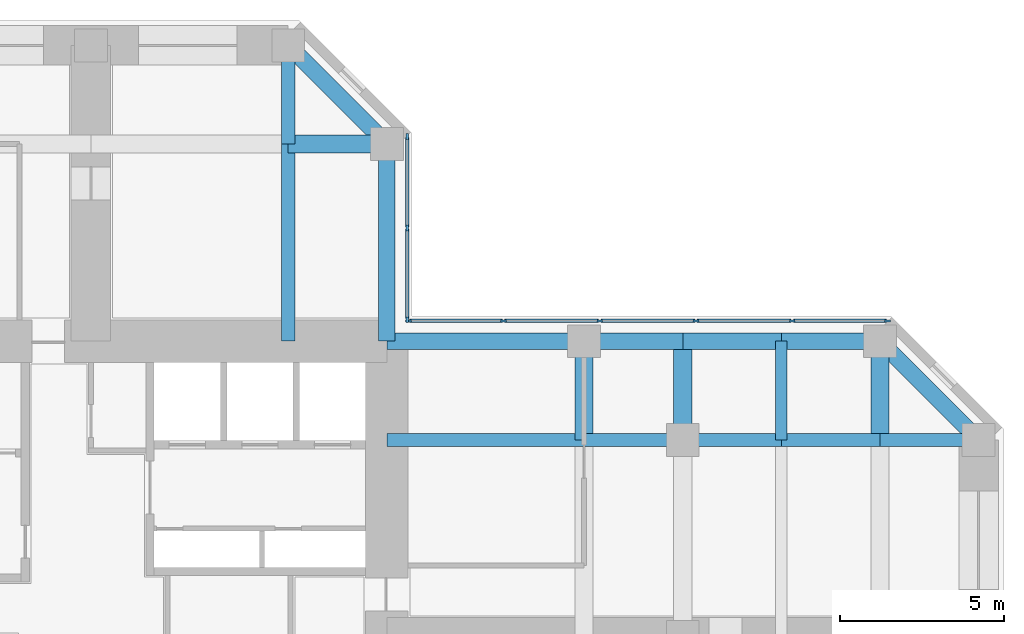
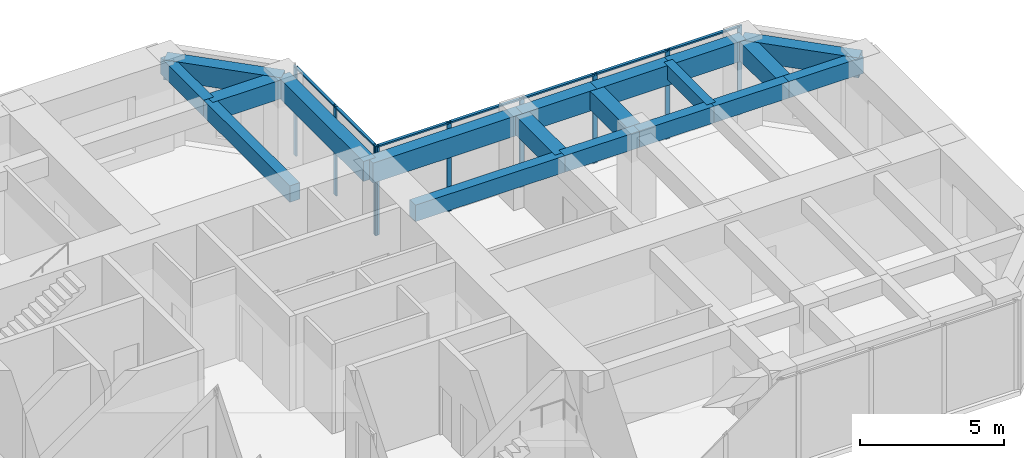
# One storey, part 6 of 12: 19 beams, 16 members, 2 elements without a shape of their own.
"""IFC4 building model written with IfcOpenShell, lengths in metres."""

from ifc_helpers import new_model, si_unit, direction, frame, origin, origin_2d, place, context, subcontext, project, spatial, rectangle, extrude, material, material_profile, profile_set, type_object, element, aggregate, save


model = new_model("IFC4")

# Units and contexts
model_context = context("Model", 3, precision=1e-05, world=origin(), true_north=direction((0.0, 1.0)))
body_context = subcontext(model_context, "Body", "Model", "MODEL_VIEW")
ifc_project = project(units=[si_unit("LENGTHUNIT", "METRE"), si_unit("AREAUNIT", "SQUARE_METRE"), si_unit("VOLUMEUNIT", "CUBIC_METRE"), si_unit("PLANEANGLEUNIT", "RADIAN"), si_unit("MASSUNIT", "GRAM", prefix="KILO")], contexts=[model_context])

# Site, building, storey
site_placement = place(None, origin())
site = spatial("IfcSite", under=ifc_project, at=site_placement, CompositionType="ELEMENT")
building_placement = place(site_placement, origin())
building = spatial("IfcBuilding", under=site, at=building_placement, Name="Torre Cruceta", CompositionType="ELEMENT")
storey_placement = place(building_placement, frame((0.0, 0.0, 136.5)))
storey = spatial("IfcBuildingStorey", under=building, at=storey_placement, Name="L33", CompositionType="ELEMENT", Elevation=136.5)

# Beams
ifc_material_1 = material(Name="Concrete G60 (fck 60 MPa)", Category="concrete")
ifc_material_profile_1 = material_profile(ifc_material_1, rectangle(XDim=0.39990234375, YDim=0.699951171875, at=origin_2d()), Name="RC 400X700")
ifc_profile_set_1 = profile_set([ifc_material_profile_1], Name="Concrete G60 (fck 60 MPa)")
beam_type_1 = type_object("IfcBeamType", Name="COLUMN LINE BEAM RC 400X700", PredefinedType="BEAM", material=ifc_profile_set_1)
beam_1_placement = place(storey_placement, frame((6.0, 9.0, 3.449951171875), z_axis=(0.0, 1.0, 0.0), x_axis=(-1.0, 0.0, 0.0)))
element("IfcBeam", 1, at=beam_1_placement, inside=storey, type_object=beam_type_1, Name="LB5 L33 N col- 1", PredefinedType="BEAM", context=body_context, shape_type="SweptSolid", body=[
    extrude(rectangle(XDim=0.39990234375, YDim=0.699951171875, at=origin_2d()), origin(), (0.0, 0.0, 1.0), 6.0),
])
beam_2_placement = place(storey_placement, frame((6.0, 15.0, 3.449951171875), z_axis=(0.0, 1.0, 0.0), x_axis=(-1.0, 0.0, 0.0)))
element("IfcBeam", 2, at=beam_2_placement, inside=storey, type_object=beam_type_1, Name="LB5 L33 N col- 2", PredefinedType="BEAM", context=body_context, shape_type="SweptSolid", body=[
    extrude(rectangle(XDim=0.39990234375, YDim=0.699951171875, at=origin_2d()), origin(), (0.0, 0.0, 1.0), 3.0),
])
beam_3_placement = place(storey_placement, frame((9.0, 6.0, 3.449951171875), z_axis=(1.0, 0.0, 0.0), x_axis=(0.0, 1.0, 0.0)))
element("IfcBeam", 3, at=beam_3_placement, inside=storey, type_object=beam_type_1, Name="LB5 L33 E col+ 1", PredefinedType="BEAM", context=body_context, shape_type="SweptSolid", body=[
    extrude(rectangle(XDim=0.39990234375, YDim=0.699951171875, at=origin_2d()), origin(), (0.0, 0.0, 1.0), 6.0),
])
for number, where, z_axis, x_axis, name in (
    (4, (15.0, 6.0, 3.449951171875), (1.0, 0.0, 0.0), (0.0, 1.0, 0.0), "LB5 L33 E col+ 2"),
    (5, (18.0, 6.0, 3.449951171875), (1.0, 0.0, 0.0), (0.0, 1.0, 0.0), "LB5 L33 E col+ 3"),
    (6, (21.0, 6.0, 3.449951171875), (1.0, 0.0, 0.0), (0.0, 1.0, 0.0), "LB5 L33 E col+ 4"),
    (7, (24.0, 6.0, 3.449951171875), (1.0, 0.0, 0.0), (0.0, 1.0, 0.0), "LB5 L33 E col+ 5"),
):
    element("IfcBeam", number, at=place(storey_placement, frame(where, z_axis=z_axis, x_axis=x_axis)), inside=storey, type_object=beam_type_1, Name=name, PredefinedType="BEAM", context=body_context, shape_type="SweptSolid", body=[
        extrude(rectangle(XDim=0.39990234375, YDim=0.699951171875, at=origin_2d()), origin(), (0.0, 0.0, 1.0), 3.0),
    ])
ifc_material_2 = material(Name="Concrete G60 (fck 60 MPa)", Category="concrete")
ifc_material_profile_2 = material_profile(ifc_material_2, rectangle(XDim=0.550048828125, YDim=0.800048828125, at=origin_2d()), Name="RC 550X800")
ifc_profile_set_2 = profile_set([ifc_material_profile_2], Name="Concrete G60 (fck 60 MPa)")
beam_type_2 = type_object("IfcBeamType", Name="CROSS BEAM RC 550X800", PredefinedType="BEAM", material=ifc_profile_set_2)
for number, where, z_axis, x_axis, name in (
    (8, (9.0, 15.0, 3.39990234375), (-1.0, 0.0, 0.0), (0.0, -1.0, 0.0), "GB5 L33 N cross15 1"),
    (9, (15.0, 6.0, 3.39990234375), (0.0, 1.0, 0.0), (-1.0, 0.0, 0.0), "GB5 L33 E cross15 4"),
    (10, (18.0, 6.0, 3.39990234375), (0.0, 1.0, 0.0), (-1.0, 0.0, 0.0), "GB5 L33 E cross18 4"),
    (11, (24.0, 6.0, 3.39990234375), (0.0, 1.0, 0.0), (-1.0, 0.0, 0.0), "GB5 L33 E cross24 4"),
):
    element("IfcBeam", number, at=place(storey_placement, frame(where, z_axis=z_axis, x_axis=x_axis)), inside=storey, type_object=beam_type_2, Name=name, PredefinedType="BEAM", context=body_context, shape_type="SweptSolid", body=[
        extrude(rectangle(XDim=0.550048828125, YDim=0.800048828125, at=origin_2d()), origin(), (0.0, 0.0, 1.0), 3.0),
    ])

# Curtain wall, members
ifc_material_3 = material(Name="Aluminium unitised curtain wall", Category="aluminium")
curtain_wall_type = type_object("IfcCurtainWallType", Name="CURTAIN WALL CW-B OFFICE MID RISE", PredefinedType="USERDEFINED", material=ifc_material_3)
curtain_wall_1_placement = place(storey_placement, origin())
curtain_wall_1 = element("IfcCurtainWall", 12, at=curtain_wall_1_placement, inside=storey, type_object=curtain_wall_type, Name="CW-B L33 E side 04", ObjectType="UNITISED", PredefinedType="USERDEFINED")
ifc_material_4 = material(Name="Aluminium mullion", Category="aluminium")
ifc_material_profile_3 = material_profile(ifc_material_4, rectangle(XDim=0.06494140625, YDim=0.179931640625, at=origin_2d()), Name="AL 65X180")
ifc_profile_set_3 = profile_set([ifc_material_profile_3], Name="Aluminium mullion")
member_type_1 = type_object("IfcMemberType", Name="CW-B MULLION 65X180", PredefinedType="MULLION", material=ifc_profile_set_3)
member_1_placement = place(storey_placement, frame((24.224365234375, 9.6201171875, 0.0), z_axis=(0.0, 0.0, 1.0), x_axis=(0.0, -1.0, 0.0)))
member_1 = element("IfcMember", 13, at=member_1_placement, type_object=member_type_1, Name="CW-B mullion 1", PredefinedType="MULLION", context=body_context, shape_type="SweptSolid", body=[
    extrude(rectangle(XDim=0.06494140625, YDim=0.179931640625, at=origin_2d()), origin(), (0.0, 0.0, 1.0), 3.800048828125),
])
member_2_placement = place(storey_placement, frame((21.329345703125, 9.6201171875, 0.0), z_axis=(0.0, 0.0, 1.0), x_axis=(0.0, -1.0, 0.0)))
member_2 = element("IfcMember", 14, at=member_2_placement, type_object=member_type_1, Name="CW-B mullion 2", PredefinedType="MULLION", context=body_context, shape_type="SweptSolid", body=[
    extrude(rectangle(XDim=0.06494140625, YDim=0.179931640625, at=origin_2d()), origin(), (0.0, 0.0, 1.0), 3.800048828125),
])
member_3_placement = place(storey_placement, frame((18.402099609375, 9.6201171875, 0.0), z_axis=(0.0, 0.0, 1.0), x_axis=(0.0, -1.0, 0.0)))
member_3 = element("IfcMember", 15, at=member_3_placement, type_object=member_type_1, Name="CW-B mullion 3", PredefinedType="MULLION", context=body_context, shape_type="SweptSolid", body=[
    extrude(rectangle(XDim=0.06494140625, YDim=0.179931640625, at=origin_2d()), origin(), (0.0, 0.0, 1.0), 3.800048828125),
])
member_4_placement = place(storey_placement, frame((15.474609375, 9.6201171875, 0.0), z_axis=(0.0, 0.0, 1.0), x_axis=(0.0, -1.0, 0.0)))
member_4 = element("IfcMember", 16, at=member_4_placement, type_object=member_type_1, Name="CW-B mullion 4", PredefinedType="MULLION", context=body_context, shape_type="SweptSolid", body=[
    extrude(rectangle(XDim=0.06494140625, YDim=0.179931640625, at=origin_2d()), origin(), (0.0, 0.0, 1.0), 3.800048828125),
])
member_5_placement = place(storey_placement, frame((12.54736328125, 9.6201171875, 0.0), z_axis=(0.0, 0.0, 1.0), x_axis=(0.0, -1.0, 0.0)))
member_5 = element("IfcMember", 17, at=member_5_placement, type_object=member_type_1, Name="CW-B mullion 5", PredefinedType="MULLION", context=body_context, shape_type="SweptSolid", body=[
    extrude(rectangle(XDim=0.06494140625, YDim=0.179931640625, at=origin_2d()), origin(), (0.0, 0.0, 1.0), 3.800048828125),
])
member_6_placement = place(storey_placement, frame((9.652587890625, 9.6201171875, 0.0), z_axis=(0.0, 0.0, 1.0), x_axis=(0.0, -1.0, 0.0)))
member_6 = element("IfcMember", 18, at=member_6_placement, type_object=member_type_1, Name="CW-B mullion 6", PredefinedType="MULLION", context=body_context, shape_type="SweptSolid", body=[
    extrude(rectangle(XDim=0.06494140625, YDim=0.179931640625, at=origin_2d()), origin(), (0.0, 0.0, 1.0), 3.800048828125),
])

curtain_wall_2_placement = place(storey_placement, origin())
curtain_wall_2 = element("IfcCurtainWall", 19, at=curtain_wall_2_placement, inside=storey, type_object=curtain_wall_type, Name="CW-B L33 N side 05", ObjectType="UNITISED", PredefinedType="USERDEFINED")
member_7_placement = place(storey_placement, frame((9.6201171875, 9.652587890625, 0.0), z_axis=(0.0, 0.0, 1.0), x_axis=(-1.0, 0.0, 0.0)))
member_7 = element("IfcMember", 20, at=member_7_placement, type_object=member_type_1, Name="CW-B mullion 1", PredefinedType="MULLION", context=body_context, shape_type="SweptSolid", body=[
    extrude(rectangle(XDim=0.06494140625, YDim=0.179931640625, at=origin_2d()), origin(), (0.0, 0.0, 1.0), 3.800048828125),
])
member_8_placement = place(storey_placement, frame((9.6201171875, 12.4384765625, 0.0), z_axis=(0.0, 0.0, 1.0), x_axis=(-1.0, 0.0, 0.0)))
member_8 = element("IfcMember", 21, at=member_8_placement, type_object=member_type_1, Name="CW-B mullion 2", PredefinedType="MULLION", context=body_context, shape_type="SweptSolid", body=[
    extrude(rectangle(XDim=0.06494140625, YDim=0.179931640625, at=origin_2d()), origin(), (0.0, 0.0, 1.0), 3.800048828125),
])
member_9_placement = place(storey_placement, frame((9.6201171875, 15.224365234375, 0.0), z_axis=(0.0, 0.0, 1.0), x_axis=(-1.0, 0.0, 0.0)))
member_9 = element("IfcMember", 22, at=member_9_placement, type_object=member_type_1, Name="CW-B mullion 3", PredefinedType="MULLION", context=body_context, shape_type="SweptSolid", body=[
    extrude(rectangle(XDim=0.06494140625, YDim=0.179931640625, at=origin_2d()), origin(), (0.0, 0.0, 1.0), 3.800048828125),
])

# Member
ifc_material_5 = material(Name="Aluminium transom", Category="aluminium")
ifc_material_profile_4 = material_profile(ifc_material_5, rectangle(XDim=0.110107421875, YDim=0.06494140625, at=origin_2d()), Name="AL 110X65")
ifc_profile_set_4 = profile_set([ifc_material_profile_4], Name="Aluminium transom")
member_type_2 = type_object("IfcMemberType", Name="CW-B TRANSOM 65X110", PredefinedType="USERDEFINED", material=ifc_profile_set_4)
member_10_placement = place(storey_placement, frame((24.19189453125, 9.6201171875, 3.767578125), z_axis=(-1.0, 0.0, 0.0), x_axis=(0.0, -1.0, 0.0)))
member_10 = element("IfcMember", 23, at=member_10_placement, type_object=member_type_2, Name="CW-B transom 1", ObjectType="TRANSOM", PredefinedType="USERDEFINED", context=body_context, shape_type="SweptSolid", body=[
    extrude(rectangle(XDim=0.110107421875, YDim=0.06494140625, at=origin_2d()), origin(), (0.0, 0.0, 1.0), 2.829833984375),
])

member_11_placement = place(storey_placement, frame((21.296875, 9.6201171875, 3.767578125), z_axis=(-1.0, 0.0, 0.0), x_axis=(0.0, -1.0, 0.0)))
member_11 = element("IfcMember", 24, at=member_11_placement, type_object=member_type_2, Name="CW-B transom 2", ObjectType="TRANSOM", PredefinedType="USERDEFINED", context=body_context, shape_type="SweptSolid", body=[
    extrude(rectangle(XDim=0.110107421875, YDim=0.06494140625, at=origin_2d()), origin(), (0.0, 0.0, 1.0), 2.8623046875),
])

member_12_placement = place(storey_placement, frame((18.36962890625, 9.6201171875, 3.767578125), z_axis=(-1.0, 0.0, 0.0), x_axis=(0.0, -1.0, 0.0)))
member_12 = element("IfcMember", 25, at=member_12_placement, type_object=member_type_2, Name="CW-B transom 3", ObjectType="TRANSOM", PredefinedType="USERDEFINED", context=body_context, shape_type="SweptSolid", body=[
    extrude(rectangle(XDim=0.110107421875, YDim=0.06494140625, at=origin_2d()), origin(), (0.0, 0.0, 1.0), 2.8623046875),
])

member_13_placement = place(storey_placement, frame((15.442138671875, 9.6201171875, 3.767578125), z_axis=(-1.0, 0.0, 0.0), x_axis=(0.0, -1.0, 0.0)))
member_13 = element("IfcMember", 26, at=member_13_placement, type_object=member_type_2, Name="CW-B transom 4", ObjectType="TRANSOM", PredefinedType="USERDEFINED", context=body_context, shape_type="SweptSolid", body=[
    extrude(rectangle(XDim=0.110107421875, YDim=0.06494140625, at=origin_2d()), origin(), (0.0, 0.0, 1.0), 2.8623046875),
])

member_14_placement = place(storey_placement, frame((12.514892578125, 9.6201171875, 3.767578125), z_axis=(-1.0, 0.0, 0.0), x_axis=(0.0, -1.0, 0.0)))
member_14 = element("IfcMember", 27, at=member_14_placement, type_object=member_type_2, Name="CW-B transom 5", ObjectType="TRANSOM", PredefinedType="USERDEFINED", context=body_context, shape_type="SweptSolid", body=[
    extrude(rectangle(XDim=0.110107421875, YDim=0.06494140625, at=origin_2d()), origin(), (0.0, 0.0, 1.0), 2.829833984375),
])

aggregate(curtain_wall_1, [member_1, member_2, member_3, member_4, member_5, member_6, member_10, member_11, member_12, member_13, member_14])

member_15_placement = place(storey_placement, frame((9.6201171875, 9.68505859375, 3.767578125), z_axis=(0.0, 1.0, 0.0), x_axis=(-1.0, 0.0, 0.0)))
member_15 = element("IfcMember", 28, at=member_15_placement, type_object=member_type_2, Name="CW-B transom 1", ObjectType="TRANSOM", PredefinedType="USERDEFINED", context=body_context, shape_type="SweptSolid", body=[
    extrude(rectangle(XDim=0.110107421875, YDim=0.06494140625, at=origin_2d()), origin(), (0.0, 0.0, 1.0), 2.720947265625),
])

member_16_placement = place(storey_placement, frame((9.6201171875, 12.470947265625, 3.767578125), z_axis=(0.0, 1.0, 0.0), x_axis=(-1.0, 0.0, 0.0)))
member_16 = element("IfcMember", 29, at=member_16_placement, type_object=member_type_2, Name="CW-B transom 2", ObjectType="TRANSOM", PredefinedType="USERDEFINED", context=body_context, shape_type="SweptSolid", body=[
    extrude(rectangle(XDim=0.110107421875, YDim=0.06494140625, at=origin_2d()), origin(), (0.0, 0.0, 1.0), 2.720947265625),
])

aggregate(curtain_wall_2, [member_7, member_8, member_9, member_15, member_16])

# Beams
ifc_material_6 = material(Name="Concrete G60 (fck 60 MPa)", Category="concrete")
ifc_material_profile_5 = material_profile(ifc_material_6, rectangle(XDim=0.35009765625, YDim=0.60009765625, at=origin_2d()), Name="RC 350X600")
ifc_profile_set_5 = profile_set([ifc_material_profile_5], Name="Concrete G60 (fck 60 MPa)")
beam_type_3 = type_object("IfcBeamType", Name="SECONDARY BEAM RC 350X600", PredefinedType="JOIST", material=ifc_profile_set_5)
beam_4_placement = place(storey_placement, frame((21.0, 6.0, 3.5), z_axis=(0.0, 1.0, 0.0), x_axis=(-1.0, 0.0, 0.0)))
element("IfcBeam", 30, at=beam_4_placement, inside=storey, type_object=beam_type_3, Name="JB5 L33 E sec21 4", PredefinedType="JOIST", context=body_context, shape_type="SweptSolid", body=[
    extrude(rectangle(XDim=0.35009765625, YDim=0.60009765625, at=origin_2d()), origin(), (0.0, 0.0, 1.0), 3.0),
])
ifc_material_7 = material(Name="Concrete G60 (fck 60 MPa)", Category="concrete")
ifc_material_profile_6 = material_profile(ifc_material_7, rectangle(XDim=0.5, YDim=0.85009765625, at=origin_2d()), Name="RC 500X850")
ifc_profile_set_6 = profile_set([ifc_material_profile_6], Name="Concrete G60 (fck 60 MPa)")
beam_type_4 = type_object("IfcBeamType", Name="SPANDREL BEAM RC 500X850", PredefinedType="SPANDREL", material=ifc_profile_set_6)
beam_5_placement = place(storey_placement, frame((9.0, 9.0, 3.375), z_axis=(0.0, 1.0, 0.0), x_axis=(-1.0, 0.0, 0.0)))
element("IfcBeam", 31, at=beam_5_placement, inside=storey, type_object=beam_type_4, Name="SB5 L33 N side- 1", PredefinedType="SPANDREL", context=body_context, shape_type="SweptSolid", body=[
    extrude(rectangle(XDim=0.5, YDim=0.85009765625, at=origin_2d()), origin(), (0.0, 0.0, 1.0), 6.0),
])
beam_6_placement = place(storey_placement, frame((9.0, 15.0, 3.375), z_axis=(-0.707106781187, 0.707106781187, 0.0), x_axis=(-0.707106781187, -0.707106781187, 0.0)))
element("IfcBeam", 32, at=beam_6_placement, inside=storey, type_object=beam_type_4, Name="SB5 L33 N side- 2", PredefinedType="SPANDREL", context=body_context, shape_type="SweptSolid", body=[
    extrude(rectangle(XDim=0.5, YDim=0.85009765625, at=origin_2d()), origin(), (0.0, 0.0, 1.0), 4.24267578125),
])
beam_7_placement = place(storey_placement, frame((9.0, 9.0, 3.375), z_axis=(1.0, 0.0, 0.0), x_axis=(0.0, 1.0, 0.0)))
element("IfcBeam", 33, at=beam_7_placement, inside=storey, type_object=beam_type_4, Name="SB5 L33 E side+ 1", PredefinedType="SPANDREL", context=body_context, shape_type="SweptSolid", body=[
    extrude(rectangle(XDim=0.5, YDim=0.85009765625, at=origin_2d()), origin(), (0.0, 0.0, 1.0), 6.0),
])
for number, where, z_axis, x_axis, name in (
    (34, (15.0, 9.0, 3.375), (1.0, 0.0, 0.0), (0.0, 1.0, 0.0), "SB5 L33 E side+ 2"),
    (35, (18.0, 9.0, 3.375), (1.0, 0.0, 0.0), (0.0, 1.0, 0.0), "SB5 L33 E side+ 3"),
    (36, (21.0, 9.0, 3.375), (1.0, 0.0, 0.0), (0.0, 1.0, 0.0), "SB5 L33 E side+ 4"),
):
    element("IfcBeam", number, at=place(storey_placement, frame(where, z_axis=z_axis, x_axis=x_axis)), inside=storey, type_object=beam_type_4, Name=name, PredefinedType="SPANDREL", context=body_context, shape_type="SweptSolid", body=[
        extrude(rectangle(XDim=0.5, YDim=0.85009765625, at=origin_2d()), origin(), (0.0, 0.0, 1.0), 3.0),
    ])
beam_8_placement = place(storey_placement, frame((24.0, 9.0, 3.375), z_axis=(0.707106781187, -0.707106781187, 0.0), x_axis=(0.707106781187, 0.707106781187, 0.0)))
element("IfcBeam", 37, at=beam_8_placement, inside=storey, type_object=beam_type_4, Name="SB5 L33 E side+ 5", PredefinedType="SPANDREL", context=body_context, shape_type="SweptSolid", body=[
    extrude(rectangle(XDim=0.5, YDim=0.85009765625, at=origin_2d()), origin(), (0.0, 0.0, 1.0), 4.24267578125),
])

save(model, "model.ifc")
